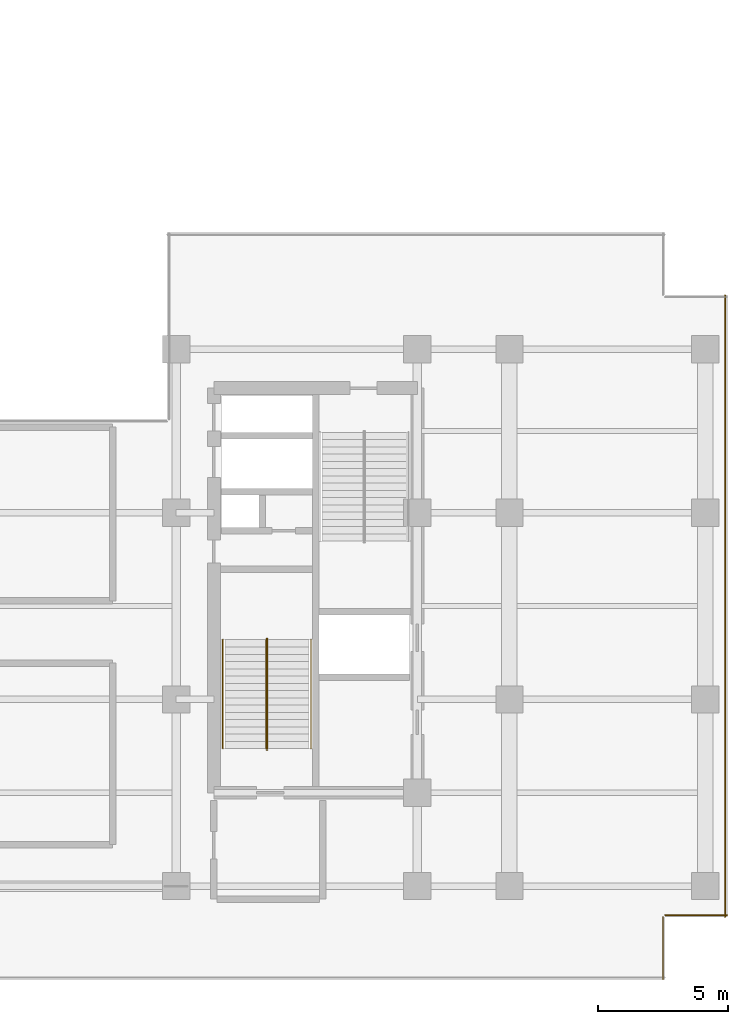
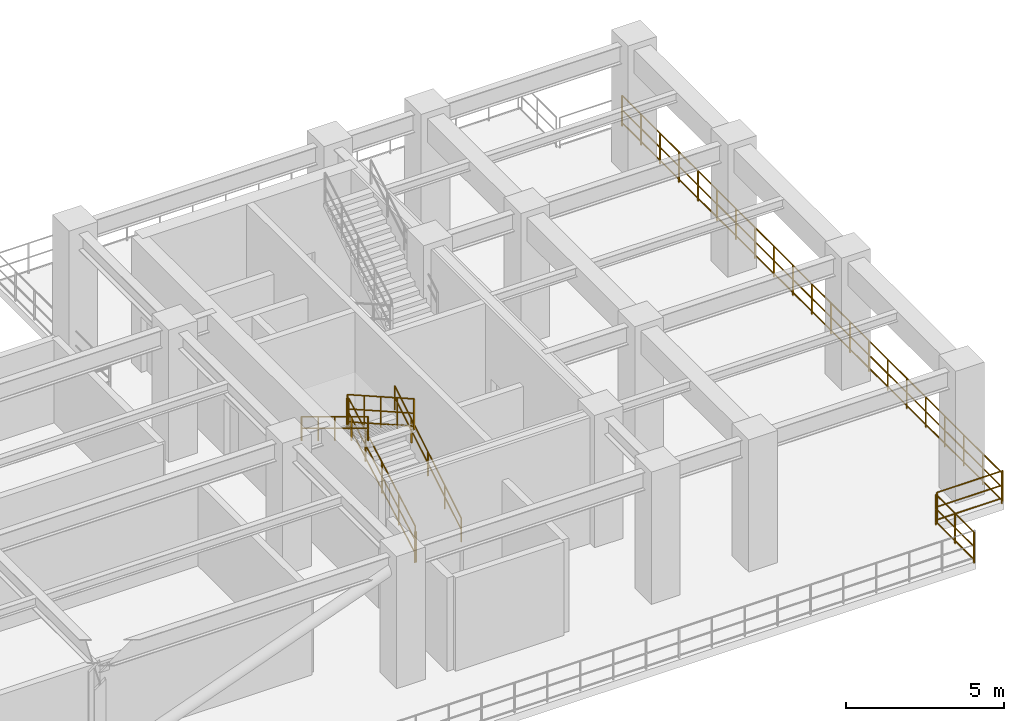
# One storey, part 13 of 16: 9 railings.
"""IFC4 building model written with IfcOpenShell, lengths in metres."""

from ifc_helpers import new_model, entity, si_unit, converted_unit, direction, frame, origin_with_axes, origin_2d_with_axis, place, context, subcontext, project, spatial, rectangle, circle, extrude, material, type_object, element, save


model = new_model("IFC4")

# Units and contexts
model_context = context("Model", 3, precision=1e-05, world=origin_with_axes(), true_north=direction((0.0, 1.0)))
body_context = subcontext(model_context, "Body", "Model", "MODEL_VIEW")
ifc_project = project(units=[si_unit("LENGTHUNIT", "METRE"), si_unit("AREAUNIT", "SQUARE_METRE"), si_unit("VOLUMEUNIT", "CUBIC_METRE"), converted_unit("PLANEANGLEUNIT", "DEGREE", entity("IfcPlaneAngleMeasure", 0.017453292519943295), si_unit("PLANEANGLEUNIT", "RADIAN"), dimensions=[0, 0, 0, 0, 0, 0, 0]), si_unit("MASSUNIT", "GRAM", prefix="KILO"), si_unit("THERMODYNAMICTEMPERATUREUNIT", "KELVIN")], contexts=[model_context])

# Site, building, storey
site_placement = place(None, origin_with_axes())
site = spatial("IfcSite", under=ifc_project, at=site_placement, CompositionType="ELEMENT")
building_placement = place(site_placement, origin_with_axes())
building = spatial("IfcBuilding", under=site, at=building_placement, Name="Varnlund Millrace Tower", CompositionType="ELEMENT")
storey_placement = place(building_placement, frame((0.0, 0.0, 187.5), z_axis=(0.0, 0.0, 1.0), x_axis=(1.0, 0.0, 0.0)))
storey = spatial("IfcBuildingStorey", under=building, at=storey_placement, Name="L46", CompositionType="ELEMENT", Elevation=187.5)

# Railings
ifc_material_1 = material(Name="Architectural bronze balustrade guard", Category="aluminium")
railing_type_1 = type_object("IfcRailingType", Name="Type-Guard-Perimeter-1150", PredefinedType="BALUSTRADE", material=ifc_material_1)
railing_1_placement = place(storey_placement, frame((0.0, 0.0, -187.5), z_axis=(0.0, 0.0, 1.0), x_axis=(1.0, 0.0, 0.0)))
element("IfcRailing", 1, at=railing_1_placement, inside=storey, type_object=railing_type_1, Name="Type-Guard-Perimeter-1150", PredefinedType="BALUSTRADE", context=body_context, shape_type="SweptSolid", body=[
    extrude(circle(Radius=0.024, at=origin_2d_with_axis()), frame((57.52, 0.0, 188.65), z_axis=(0.0, 1.0, 0.0), x_axis=(-1.0, 0.0, 0.0)), (0.0, 0.0, 1.0), 2.4),
    extrude(circle(Radius=0.024, at=origin_2d_with_axis()), frame((57.52, 0.0, 187.6), z_axis=(0.0, 1.0, 0.0), x_axis=(-1.0, 0.0, 0.0)), (0.0, 0.0, 1.0), 2.4),
    extrude(circle(Radius=0.024, at=origin_2d_with_axis()), frame((57.52, 0.0, 188.098), z_axis=(0.0, 1.0, 0.0), x_axis=(-1.0, 0.0, 0.0)), (0.0, 0.0, 1.0), 2.4),
    extrude(rectangle(XDim=0.04, YDim=0.04, at=origin_2d_with_axis()), frame((57.52, 0.0, 187.46), z_axis=(0.0, 0.0, 1.0), x_axis=(1.0, 0.0, 0.0)), (0.0, 0.0, 1.0), 1.19),
    extrude(rectangle(XDim=0.04, YDim=0.04, at=origin_2d_with_axis()), frame((57.52, 1.2, 187.46), z_axis=(0.0, 0.0, 1.0), x_axis=(1.0, 0.0, 0.0)), (0.0, 0.0, 1.0), 1.19),
    extrude(rectangle(XDim=0.04, YDim=0.04, at=origin_2d_with_axis()), frame((57.52, 2.4, 187.46), z_axis=(0.0, 0.0, 1.0), x_axis=(1.0, 0.0, 0.0)), (0.0, 0.0, 1.0), 1.19),
])
railing_2_placement = place(storey_placement, frame((0.0, 0.0, -187.5), z_axis=(0.0, 0.0, 1.0), x_axis=(1.0, 0.0, 0.0)))
element("IfcRailing", 2, at=railing_2_placement, inside=storey, type_object=railing_type_1, Name="Type-Guard-Perimeter-1150", PredefinedType="BALUSTRADE", context=body_context, shape_type="SweptSolid", body=[
    extrude(circle(Radius=0.024, at=origin_2d_with_axis()), frame((57.6, 2.48, 188.65), z_axis=(1.0, 0.0, 0.0), x_axis=(0.0, 1.0, 0.0)), (0.0, 0.0, 1.0), 2.4),
    extrude(circle(Radius=0.024, at=origin_2d_with_axis()), frame((57.6, 2.48, 187.6), z_axis=(1.0, 0.0, 0.0), x_axis=(0.0, 1.0, 0.0)), (0.0, 0.0, 1.0), 2.4),
    extrude(circle(Radius=0.024, at=origin_2d_with_axis()), frame((57.6, 2.48, 188.098), z_axis=(1.0, 0.0, 0.0), x_axis=(0.0, 1.0, 0.0)), (0.0, 0.0, 1.0), 2.4),
    extrude(rectangle(XDim=0.04, YDim=0.04, at=origin_2d_with_axis()), frame((57.6, 2.48, 187.46), z_axis=(0.0, 0.0, 1.0), x_axis=(1.0, 0.0, 0.0)), (0.0, 0.0, 1.0), 1.19),
    extrude(rectangle(XDim=0.04, YDim=0.04, at=origin_2d_with_axis()), frame((60.0, 2.48, 187.46), z_axis=(0.0, 0.0, 1.0), x_axis=(1.0, 0.0, 0.0)), (0.0, 0.0, 1.0), 1.19),
])
railing_3_placement = place(storey_placement, frame((0.0, 0.0, -187.5), z_axis=(0.0, 0.0, 1.0), x_axis=(1.0, 0.0, 0.0)))
element("IfcRailing", 3, at=railing_3_placement, inside=storey, type_object=railing_type_1, Name="Type-Guard-Perimeter-1150", PredefinedType="BALUSTRADE", context=body_context, shape_type="SweptSolid", body=[
    extrude(circle(Radius=0.024, at=origin_2d_with_axis()), frame((59.92, 2.4, 188.65), z_axis=(0.0, 1.0, 0.0), x_axis=(-1.0, 0.0, 0.0)), (0.0, 0.0, 1.0), 24.0),
    extrude(circle(Radius=0.024, at=origin_2d_with_axis()), frame((59.92, 2.4, 187.6), z_axis=(0.0, 1.0, 0.0), x_axis=(-1.0, 0.0, 0.0)), (0.0, 0.0, 1.0), 24.0),
    extrude(circle(Radius=0.024, at=origin_2d_with_axis()), frame((59.92, 2.4, 188.098), z_axis=(0.0, 1.0, 0.0), x_axis=(-1.0, 0.0, 0.0)), (0.0, 0.0, 1.0), 24.0),
    extrude(rectangle(XDim=0.04, YDim=0.04, at=origin_2d_with_axis()), frame((59.92, 2.4, 187.46), z_axis=(0.0, 0.0, 1.0), x_axis=(1.0, 0.0, 0.0)), (0.0, 0.0, 1.0), 1.19),
    extrude(rectangle(XDim=0.04, YDim=0.04, at=origin_2d_with_axis()), frame((59.92, 3.6, 187.46), z_axis=(0.0, 0.0, 1.0), x_axis=(1.0, 0.0, 0.0)), (0.0, 0.0, 1.0), 1.19),
    extrude(rectangle(XDim=0.04, YDim=0.04, at=origin_2d_with_axis()), frame((59.92, 4.8, 187.46), z_axis=(0.0, 0.0, 1.0), x_axis=(1.0, 0.0, 0.0)), (0.0, 0.0, 1.0), 1.19),
    extrude(rectangle(XDim=0.04, YDim=0.04, at=origin_2d_with_axis()), frame((59.92, 6.0, 187.46), z_axis=(0.0, 0.0, 1.0), x_axis=(1.0, 0.0, 0.0)), (0.0, 0.0, 1.0), 1.19),
    extrude(rectangle(XDim=0.04, YDim=0.04, at=origin_2d_with_axis()), frame((59.92, 7.2, 187.46), z_axis=(0.0, 0.0, 1.0), x_axis=(1.0, 0.0, 0.0)), (0.0, 0.0, 1.0), 1.19),
    extrude(rectangle(XDim=0.04, YDim=0.04, at=origin_2d_with_axis()), frame((59.92, 8.4, 187.46), z_axis=(0.0, 0.0, 1.0), x_axis=(1.0, 0.0, 0.0)), (0.0, 0.0, 1.0), 1.19),
    extrude(rectangle(XDim=0.04, YDim=0.04, at=origin_2d_with_axis()), frame((59.92, 9.6, 187.46), z_axis=(0.0, 0.0, 1.0), x_axis=(1.0, 0.0, 0.0)), (0.0, 0.0, 1.0), 1.19),
    extrude(rectangle(XDim=0.04, YDim=0.04, at=origin_2d_with_axis()), frame((59.92, 10.8, 187.46), z_axis=(0.0, 0.0, 1.0), x_axis=(1.0, 0.0, 0.0)), (0.0, 0.0, 1.0), 1.19),
    extrude(rectangle(XDim=0.04, YDim=0.04, at=origin_2d_with_axis()), frame((59.92, 12.0, 187.46), z_axis=(0.0, 0.0, 1.0), x_axis=(1.0, 0.0, 0.0)), (0.0, 0.0, 1.0), 1.19),
    extrude(rectangle(XDim=0.04, YDim=0.04, at=origin_2d_with_axis()), frame((59.92, 13.2, 187.46), z_axis=(0.0, 0.0, 1.0), x_axis=(1.0, 0.0, 0.0)), (0.0, 0.0, 1.0), 1.19),
    extrude(rectangle(XDim=0.04, YDim=0.04, at=origin_2d_with_axis()), frame((59.92, 14.4, 187.46), z_axis=(0.0, 0.0, 1.0), x_axis=(1.0, 0.0, 0.0)), (0.0, 0.0, 1.0), 1.19),
    extrude(rectangle(XDim=0.04, YDim=0.04, at=origin_2d_with_axis()), frame((59.92, 15.6, 187.46), z_axis=(0.0, 0.0, 1.0), x_axis=(1.0, 0.0, 0.0)), (0.0, 0.0, 1.0), 1.19),
    extrude(rectangle(XDim=0.04, YDim=0.04, at=origin_2d_with_axis()), frame((59.92, 16.8, 187.46), z_axis=(0.0, 0.0, 1.0), x_axis=(1.0, 0.0, 0.0)), (0.0, 0.0, 1.0), 1.19),
    extrude(rectangle(XDim=0.04, YDim=0.04, at=origin_2d_with_axis()), frame((59.92, 18.0, 187.46), z_axis=(0.0, 0.0, 1.0), x_axis=(1.0, 0.0, 0.0)), (0.0, 0.0, 1.0), 1.19),
    extrude(rectangle(XDim=0.04, YDim=0.04, at=origin_2d_with_axis()), frame((59.92, 19.2, 187.46), z_axis=(0.0, 0.0, 1.0), x_axis=(1.0, 0.0, 0.0)), (0.0, 0.0, 1.0), 1.19),
    extrude(rectangle(XDim=0.04, YDim=0.04, at=origin_2d_with_axis()), frame((59.92, 20.4, 187.46), z_axis=(0.0, 0.0, 1.0), x_axis=(1.0, 0.0, 0.0)), (0.0, 0.0, 1.0), 1.19),
    extrude(rectangle(XDim=0.04, YDim=0.04, at=origin_2d_with_axis()), frame((59.92, 21.6, 187.46), z_axis=(0.0, 0.0, 1.0), x_axis=(1.0, 0.0, 0.0)), (0.0, 0.0, 1.0), 1.19),
    extrude(rectangle(XDim=0.04, YDim=0.04, at=origin_2d_with_axis()), frame((59.92, 22.8, 187.46), z_axis=(0.0, 0.0, 1.0), x_axis=(1.0, 0.0, 0.0)), (0.0, 0.0, 1.0), 1.19),
    extrude(rectangle(XDim=0.04, YDim=0.04, at=origin_2d_with_axis()), frame((59.92, 24.0, 187.46), z_axis=(0.0, 0.0, 1.0), x_axis=(1.0, 0.0, 0.0)), (0.0, 0.0, 1.0), 1.19),
    extrude(rectangle(XDim=0.04, YDim=0.04, at=origin_2d_with_axis()), frame((59.92, 25.2, 187.46), z_axis=(0.0, 0.0, 1.0), x_axis=(1.0, 0.0, 0.0)), (0.0, 0.0, 1.0), 1.19),
    extrude(rectangle(XDim=0.04, YDim=0.04, at=origin_2d_with_axis()), frame((59.92, 26.4, 187.46), z_axis=(0.0, 0.0, 1.0), x_axis=(1.0, 0.0, 0.0)), (0.0, 0.0, 1.0), 1.19),
])
ifc_material_2 = material(Name="Painted steel stair well balustrade guard", Category="steel")
railing_type_2 = type_object("IfcRailingType", Name="Type-StairGuard-1150", PredefinedType="GUARDRAIL", material=ifc_material_2)
railing_4_placement = place(storey_placement, frame((0.0, 0.0, -187.5), z_axis=(0.0, 0.0, 1.0), x_axis=(1.0, 0.0, 0.0)))
element("IfcRailing", 4, at=railing_4_placement, inside=storey, type_object=railing_type_2, Name="Type-StairGuard-1150", PredefinedType="GUARDRAIL", context=body_context, shape_type="SweptSolid", body=[
    extrude(circle(Radius=0.024, at=origin_2d_with_axis()), frame((42.275, 8.9, 188.82), z_axis=(0.0, 0.870022, 0.493013), x_axis=(-1.0, 0.0, 0.0)), (0.0, 0.0, 1.0), 4.827463),
    extrude(circle(Radius=0.024, at=origin_2d_with_axis()), frame((42.275, 8.9, 187.77), z_axis=(0.0, 0.870022, 0.493013), x_axis=(-1.0, 0.0, 0.0)), (0.0, 0.0, 1.0), 4.827463),
    extrude(circle(Radius=0.024, at=origin_2d_with_axis()), frame((42.275, 8.9, 188.268), z_axis=(0.0, 0.870022, 0.493013), x_axis=(-1.0, 0.0, 0.0)), (0.0, 0.0, 1.0), 4.827463),
    extrude(rectangle(XDim=0.04, YDim=0.04, at=origin_2d_with_axis()), frame((42.275, 8.9, 187.63), z_axis=(0.0, 0.0, 1.0), x_axis=(1.0, 0.0, 0.0)), (0.0, 0.0, 1.0), 1.19),
    extrude(rectangle(XDim=0.04, YDim=0.04, at=origin_2d_with_axis()), frame((42.275, 9.95, 188.225), z_axis=(0.0, 0.0, 1.0), x_axis=(1.0, 0.0, 0.0)), (0.0, 0.0, 1.0), 1.19),
    extrude(rectangle(XDim=0.04, YDim=0.04, at=origin_2d_with_axis()), frame((42.275, 11.0, 188.82), z_axis=(0.0, 0.0, 1.0), x_axis=(1.0, 0.0, 0.0)), (0.0, 0.0, 1.0), 1.19),
    extrude(rectangle(XDim=0.04, YDim=0.04, at=origin_2d_with_axis()), frame((42.275, 12.05, 189.415), z_axis=(0.0, 0.0, 1.0), x_axis=(1.0, 0.0, 0.0)), (0.0, 0.0, 1.0), 1.19),
    extrude(rectangle(XDim=0.04, YDim=0.04, at=origin_2d_with_axis()), frame((42.275, 13.1, 190.01), z_axis=(0.0, 0.0, 1.0), x_axis=(1.0, 0.0, 0.0)), (0.0, 0.0, 1.0), 1.19),
])
railing_5_placement = place(storey_placement, frame((0.0, 0.0, -187.5), z_axis=(0.0, 0.0, 1.0), x_axis=(1.0, 0.0, 0.0)))
element("IfcRailing", 5, at=railing_5_placement, inside=storey, type_object=railing_type_2, Name="Type-StairGuard-1150", PredefinedType="GUARDRAIL", context=body_context, shape_type="SweptSolid", body=[
    extrude(circle(Radius=0.024, at=origin_2d_with_axis()), frame((42.225, 13.15, 191.2), z_axis=(1.0, 0.0, 0.0), x_axis=(0.0, 1.0, 0.0)), (0.0, 0.0, 1.0), 0.05),
    extrude(circle(Radius=0.024, at=origin_2d_with_axis()), frame((42.225, 13.15, 190.15), z_axis=(1.0, 0.0, 0.0), x_axis=(0.0, 1.0, 0.0)), (0.0, 0.0, 1.0), 0.05),
    extrude(circle(Radius=0.024, at=origin_2d_with_axis()), frame((42.225, 13.15, 190.648), z_axis=(1.0, 0.0, 0.0), x_axis=(0.0, 1.0, 0.0)), (0.0, 0.0, 1.0), 0.05),
    extrude(rectangle(XDim=0.04, YDim=0.04, at=origin_2d_with_axis()), frame((42.225, 13.15, 190.01), z_axis=(0.0, 0.0, 1.0), x_axis=(1.0, 0.0, 0.0)), (0.0, 0.0, 1.0), 1.19),
    extrude(rectangle(XDim=0.04, YDim=0.04, at=origin_2d_with_axis()), frame((42.275, 13.15, 190.01), z_axis=(0.0, 0.0, 1.0), x_axis=(1.0, 0.0, 0.0)), (0.0, 0.0, 1.0), 1.19),
])
railing_6_placement = place(storey_placement, frame((0.0, 0.0, -187.5), z_axis=(0.0, 0.0, 1.0), x_axis=(1.0, 0.0, 0.0)))
element("IfcRailing", 6, at=railing_6_placement, inside=storey, type_object=railing_type_2, Name="Type-StairGuard-1150", PredefinedType="GUARDRAIL", context=body_context, shape_type="SweptSolid", body=[
    extrude(circle(Radius=0.024, at=origin_2d_with_axis()), frame((42.225, 13.1, 191.37), z_axis=(0.0, -0.870022, 0.493013), x_axis=(1.0, 0.0, 0.0)), (0.0, 0.0, 1.0), 4.827463),
    extrude(circle(Radius=0.024, at=origin_2d_with_axis()), frame((42.225, 13.1, 190.32), z_axis=(0.0, -0.870022, 0.493013), x_axis=(1.0, 0.0, 0.0)), (0.0, 0.0, 1.0), 4.827463),
    extrude(circle(Radius=0.024, at=origin_2d_with_axis()), frame((42.225, 13.1, 190.818), z_axis=(0.0, -0.870022, 0.493013), x_axis=(1.0, 0.0, 0.0)), (0.0, 0.0, 1.0), 4.827463),
    extrude(rectangle(XDim=0.04, YDim=0.04, at=origin_2d_with_axis()), frame((42.225, 13.1, 190.18), z_axis=(0.0, 0.0, 1.0), x_axis=(1.0, 0.0, 0.0)), (0.0, 0.0, 1.0), 1.19),
    extrude(rectangle(XDim=0.04, YDim=0.04, at=origin_2d_with_axis()), frame((42.225, 12.05, 190.775), z_axis=(0.0, 0.0, 1.0), x_axis=(1.0, 0.0, 0.0)), (0.0, 0.0, 1.0), 1.19),
    extrude(rectangle(XDim=0.04, YDim=0.04, at=origin_2d_with_axis()), frame((42.225, 11.0, 191.37), z_axis=(0.0, 0.0, 1.0), x_axis=(1.0, 0.0, 0.0)), (0.0, 0.0, 1.0), 1.19),
    extrude(rectangle(XDim=0.04, YDim=0.04, at=origin_2d_with_axis()), frame((42.225, 9.95, 191.965), z_axis=(0.0, 0.0, 1.0), x_axis=(1.0, 0.0, 0.0)), (0.0, 0.0, 1.0), 1.19),
    extrude(rectangle(XDim=0.04, YDim=0.04, at=origin_2d_with_axis()), frame((42.225, 8.9, 192.56), z_axis=(0.0, 0.0, 1.0), x_axis=(1.0, 0.0, 0.0)), (0.0, 0.0, 1.0), 1.19),
])
railing_7_placement = place(storey_placement, frame((0.0, 0.0, -187.5), z_axis=(0.0, 0.0, 1.0), x_axis=(1.0, 0.0, 0.0)))
element("IfcRailing", 7, at=railing_7_placement, inside=storey, type_object=railing_type_2, Name="Type-StairGuard-1150", PredefinedType="GUARDRAIL", context=body_context, shape_type="SweptSolid", body=[
    extrude(circle(Radius=0.024, at=origin_2d_with_axis()), frame((42.225, 8.85, 188.65), z_axis=(1.0, 0.0, 0.0), x_axis=(0.0, 1.0, 0.0)), (0.0, 0.0, 1.0), 0.05),
    extrude(circle(Radius=0.024, at=origin_2d_with_axis()), frame((42.225, 8.85, 187.6), z_axis=(1.0, 0.0, 0.0), x_axis=(0.0, 1.0, 0.0)), (0.0, 0.0, 1.0), 0.05),
    extrude(circle(Radius=0.024, at=origin_2d_with_axis()), frame((42.225, 8.85, 188.098), z_axis=(1.0, 0.0, 0.0), x_axis=(0.0, 1.0, 0.0)), (0.0, 0.0, 1.0), 0.05),
    extrude(rectangle(XDim=0.04, YDim=0.04, at=origin_2d_with_axis()), frame((42.225, 8.85, 187.46), z_axis=(0.0, 0.0, 1.0), x_axis=(1.0, 0.0, 0.0)), (0.0, 0.0, 1.0), 1.19),
    extrude(rectangle(XDim=0.04, YDim=0.04, at=origin_2d_with_axis()), frame((42.275, 8.85, 187.46), z_axis=(0.0, 0.0, 1.0), x_axis=(1.0, 0.0, 0.0)), (0.0, 0.0, 1.0), 1.19),
])
ifc_material_3 = material(Name="Brushed architectural bronze stair handrail", Category="aluminium")
railing_type_3 = type_object("IfcRailingType", Name="Type-StairHandrail-900", PredefinedType="HANDRAIL", material=ifc_material_3)
railing_8_placement = place(storey_placement, frame((0.0, 0.0, -187.5), z_axis=(0.0, 0.0, 1.0), x_axis=(1.0, 0.0, 0.0)))
element("IfcRailing", 8, at=railing_8_placement, inside=storey, type_object=railing_type_3, Name="Type-StairHandrail-900", PredefinedType="HANDRAIL", context=body_context, shape_type="SweptSolid", body=[
    extrude(circle(Radius=0.024, at=origin_2d_with_axis()), frame((43.95, 8.9, 188.549485), z_axis=(0.0, 0.854788, 0.518978), x_axis=(-1.0, 0.0, 0.0)), (0.0, 0.0, 1.0), 4.913502),
    extrude(circle(Radius=0.024, at=origin_2d_with_axis()), frame((43.95, 8.9, 188.109743), z_axis=(0.0, 0.854788, 0.518978), x_axis=(-1.0, 0.0, 0.0)), (0.0, 0.0, 1.0), 4.913502),
    extrude(rectangle(XDim=0.04, YDim=0.04, at=origin_2d_with_axis()), frame((43.95, 8.9, 187.63), z_axis=(0.0, 0.0, 1.0), x_axis=(1.0, 0.0, 0.0)), (0.0, 0.0, 1.0), 0.919485),
    extrude(rectangle(XDim=0.04, YDim=0.04, at=origin_2d_with_axis()), frame((43.95, 9.95, 188.2675), z_axis=(0.0, 0.0, 1.0), x_axis=(1.0, 0.0, 0.0)), (0.0, 0.0, 1.0), 0.919485),
    extrude(rectangle(XDim=0.04, YDim=0.04, at=origin_2d_with_axis()), frame((43.95, 11.0, 188.905), z_axis=(0.0, 0.0, 1.0), x_axis=(1.0, 0.0, 0.0)), (0.0, 0.0, 1.0), 0.919485),
    extrude(rectangle(XDim=0.04, YDim=0.04, at=origin_2d_with_axis()), frame((43.95, 12.05, 189.5425), z_axis=(0.0, 0.0, 1.0), x_axis=(1.0, 0.0, 0.0)), (0.0, 0.0, 1.0), 0.919485),
    extrude(rectangle(XDim=0.04, YDim=0.04, at=origin_2d_with_axis()), frame((43.95, 13.1, 190.18), z_axis=(0.0, 0.0, 1.0), x_axis=(1.0, 0.0, 0.0)), (0.0, 0.0, 1.0), 0.919485),
])
railing_9_placement = place(storey_placement, frame((0.0, 0.0, -187.5), z_axis=(0.0, 0.0, 1.0), x_axis=(1.0, 0.0, 0.0)))
element("IfcRailing", 9, at=railing_9_placement, inside=storey, type_object=railing_type_3, Name="Type-StairHandrail-900", PredefinedType="HANDRAIL", context=body_context, shape_type="SweptSolid", body=[
    extrude(circle(Radius=0.024, at=origin_2d_with_axis()), frame((40.55, 13.1, 191.099485), z_axis=(0.0, -0.854788, 0.518978), x_axis=(1.0, 0.0, 0.0)), (0.0, 0.0, 1.0), 4.913502),
    extrude(circle(Radius=0.024, at=origin_2d_with_axis()), frame((40.55, 13.1, 190.659743), z_axis=(0.0, -0.854788, 0.518978), x_axis=(1.0, 0.0, 0.0)), (0.0, 0.0, 1.0), 4.913502),
    extrude(rectangle(XDim=0.04, YDim=0.04, at=origin_2d_with_axis()), frame((40.55, 13.1, 190.18), z_axis=(0.0, 0.0, 1.0), x_axis=(1.0, 0.0, 0.0)), (0.0, 0.0, 1.0), 0.919485),
    extrude(rectangle(XDim=0.04, YDim=0.04, at=origin_2d_with_axis()), frame((40.55, 12.05, 190.8175), z_axis=(0.0, 0.0, 1.0), x_axis=(1.0, 0.0, 0.0)), (0.0, 0.0, 1.0), 0.919485),
    extrude(rectangle(XDim=0.04, YDim=0.04, at=origin_2d_with_axis()), frame((40.55, 11.0, 191.455), z_axis=(0.0, 0.0, 1.0), x_axis=(1.0, 0.0, 0.0)), (0.0, 0.0, 1.0), 0.919485),
    extrude(rectangle(XDim=0.04, YDim=0.04, at=origin_2d_with_axis()), frame((40.55, 9.95, 192.0925), z_axis=(0.0, 0.0, 1.0), x_axis=(1.0, 0.0, 0.0)), (0.0, 0.0, 1.0), 0.919485),
    extrude(rectangle(XDim=0.04, YDim=0.04, at=origin_2d_with_axis()), frame((40.55, 8.9, 192.73), z_axis=(0.0, 0.0, 1.0), x_axis=(1.0, 0.0, 0.0)), (0.0, 0.0, 1.0), 0.919485),
])

save(model, "model.ifc")
